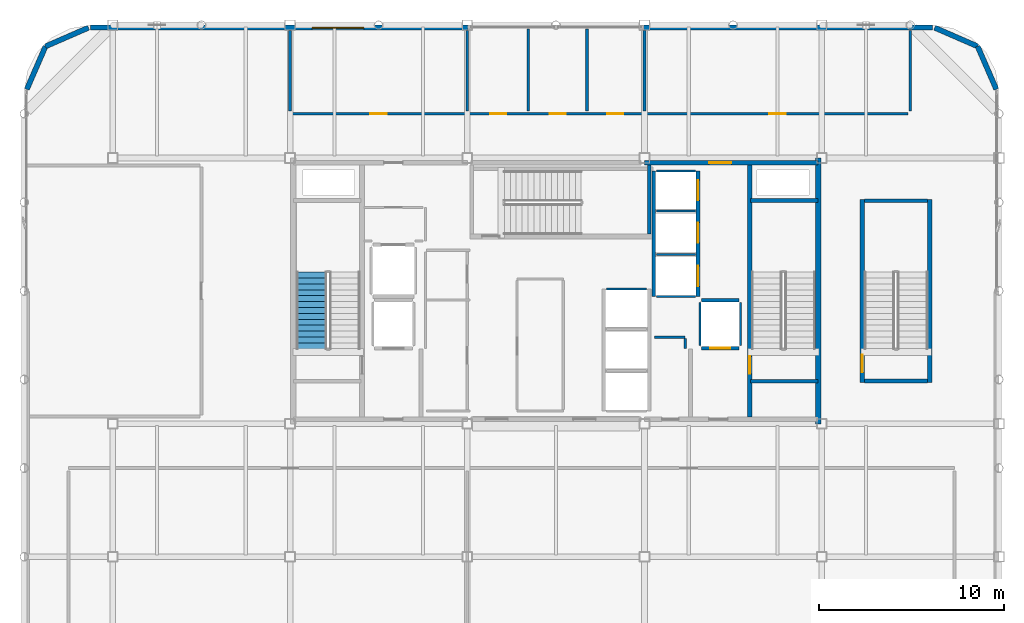
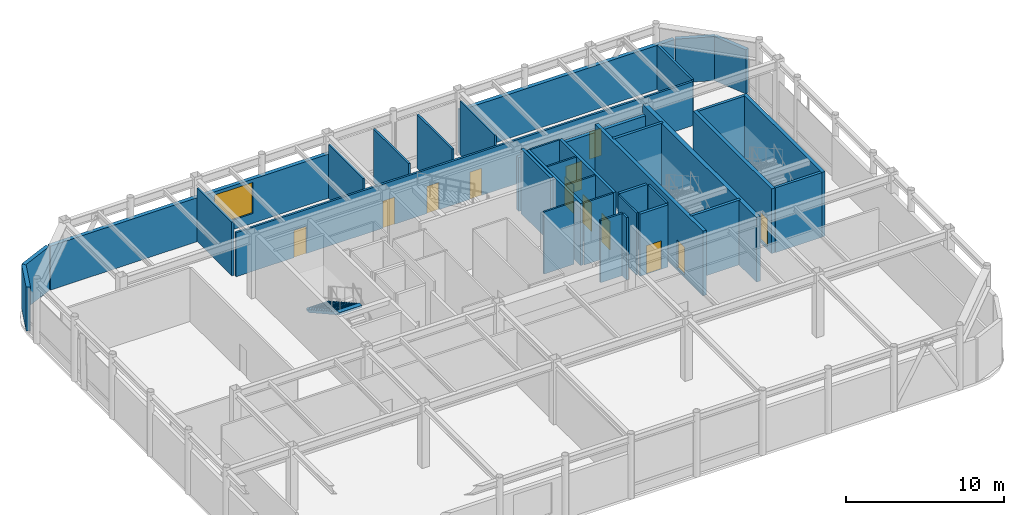
# One storey, part 18 of 21: 36 walls, 12 doors, 1 stair flight, 1 window, 13 openings, 1 element without a shape of its own.
"""IFC4 building model written with IfcOpenShell, lengths in metres."""

import ifcopenshell
import ifcopenshell.guid

model = None  # the IFC model being written
_history = None  # IfcOwnerHistory: only IFC2X3 demands one
_inside = {}  # id of a spatial element -> (the spatial element, [elements in it])
_under = {}  # id of a project, library or spatial element -> (it, [spatial elements below it])
_declared = {}  # id of a project -> (the project, [libraries it declares])
_typed = {}  # id of a type object -> (the type object, [elements of that type])
_made_of = {}  # id of a material, layer set ... -> (it, [elements and type objects made of it])


def new_model(schema):
    """Start an empty IFC model of exactly this schema.

    Asked for "IFC4X3", IfcOpenShell would pick the latest addendum, in which some entities
    have other attributes; the version numbers below select the first issue.
    IFC2X3 requires an IfcOwnerHistory on every rooted entity: one is made here for all.
    """
    global model, _history
    if schema == "IFC4X3":
        model = ifcopenshell.file(schema_version=(4, 3, 0, 0))
    else:
        model = ifcopenshell.file(schema=schema)
    _inside.clear()
    _under.clear()
    _declared.clear()
    _typed.clear()
    _made_of.clear()
    _history = None
    if model.schema == "IFC2X3":
        org = make("IfcOrganization", Name="unknown")
        user = make(
            "IfcPersonAndOrganization",
            ThePerson=make("IfcPerson", FamilyName="unknown"),
            TheOrganization=org,
        )
        app = make(
            "IfcApplication",
            ApplicationDeveloper=org,
            Version="unknown",
            ApplicationFullName="unknown",
            ApplicationIdentifier="unknown",
        )
        _history = make(
            "IfcOwnerHistory",
            OwningUser=user,
            OwningApplication=app,
            ChangeAction="ADDED",
            CreationDate=0,
        )
    return model


def make(cls, **values):
    """One entity of the class cls with the attributes given. An attribute that is None is left unset."""
    return model.create_entity(
        cls, **{name: value for name, value in values.items() if value is not None}
    )


def rooted(cls, **values):
    """An entity with a GlobalId (a new one), such as an element, a storey or a relation."""
    return make(cls, GlobalId=ifcopenshell.guid.new(), OwnerHistory=_history, **values)


def si_unit(unit_type, name, prefix=None):
    """IfcSIUnit, for example si_unit("LENGTHUNIT", "METRE", prefix="MILLI")."""
    return make("IfcSIUnit", UnitType=unit_type, Prefix=prefix, Name=name)


def assignment(units):
    """IfcUnitAssignment: the units of a project."""
    return None if units is None else make("IfcUnitAssignment", Units=units)


def point(xyz):
    """IfcCartesianPoint."""
    return None if xyz is None else make("IfcCartesianPoint", Coordinates=xyz)


def direction(xyz):
    """IfcDirection."""
    return None if xyz is None else make("IfcDirection", DirectionRatios=xyz)


def frame(location, z_axis=None, x_axis=None):
    """IfcAxis2Placement3D, a coordinate frame: its origin and axes. An axis left out is left unset."""
    return make(
        "IfcAxis2Placement3D",
        Location=point(location),
        Axis=direction(z_axis),
        RefDirection=direction(x_axis),
    )


def frame_2d(location, x_axis=None):
    """IfcAxis2Placement2D, a coordinate frame in the plane: its origin and x axis."""
    return make(
        "IfcAxis2Placement2D", Location=point(location), RefDirection=direction(x_axis)
    )


def origin():
    """The frame at (0, 0, 0) with its axes left unset."""
    return frame((0.0, 0.0, 0.0))


def place(relative_to, where):
    """IfcLocalPlacement: puts the frame where relative to a parent placement (None: the world)."""
    return make(
        "IfcLocalPlacement", PlacementRelTo=relative_to, RelativePlacement=where
    )


def context(
    kind, dimensions, precision=None, world=None, true_north=None, identifier=None
):
    """IfcGeometricRepresentationContext, for example the 3D "Model" context."""
    return make(
        "IfcGeometricRepresentationContext",
        ContextIdentifier=identifier,
        ContextType=kind,
        CoordinateSpaceDimension=dimensions,
        Precision=precision,
        WorldCoordinateSystem=world,
        TrueNorth=true_north,
    )


def subcontext(parent, identifier, kind, view, scale=None):
    """IfcGeometricRepresentationSubContext, for example "Body" below "Model"."""
    return make(
        "IfcGeometricRepresentationSubContext",
        ContextIdentifier=identifier,
        ContextType=kind,
        ParentContext=parent,
        TargetScale=scale,
        TargetView=view,
    )


def project(units=None, contexts=None):
    """IfcProject with its units and contexts."""
    return rooted(
        "IfcProject",
        Name="project",
        RepresentationContexts=contexts,
        UnitsInContext=assignment(units),
    )


def spatial(cls, under=None, at=None, **own):
    """A site, building, storey or space (cls), placed at a placement, below another one or the project."""
    s = rooted(cls, ObjectPlacement=at, **own)
    if under is not None:
        _under.setdefault(under.id(), (under, []))[1].append(s)
    return s


def polyline(points):
    """IfcPolyline through the points."""
    return make("IfcPolyline", Points=[point(p) for p in points])


def profile(cls, at=None, kind="AREA", **sizes):
    """A parametric profile (cls). Its sizes go by their IFC names, for example OverallWidth=200.0."""
    return make(cls, ProfileType=kind, Position=at, **sizes)


def rectangle(**sizes):
    """IfcRectangleProfileDef."""
    return profile("IfcRectangleProfileDef", **sizes)


def outline(outer, holes=None, kind="AREA"):
    """IfcArbitraryClosedProfileDef: a profile drawn as a closed curve; with holes, ...WithVoids."""
    if holes is None:
        return make("IfcArbitraryClosedProfileDef", ProfileType=kind, OuterCurve=outer)
    return make(
        "IfcArbitraryProfileDefWithVoids",
        ProfileType=kind,
        OuterCurve=outer,
        InnerCurves=holes,
    )


def extrude(swept, where, along, depth):
    """IfcExtrudedAreaSolid: the profile swept, set in the frame where, extruded along a direction by depth."""
    return make(
        "IfcExtrudedAreaSolid",
        SweptArea=swept,
        Position=where,
        ExtrudedDirection=direction(along),
        Depth=depth,
    )


def shape(context_of_items, identifier, shape_type, items):
    """IfcShapeRepresentation: the items that make up one representation, for example the "Body"."""
    return make(
        "IfcShapeRepresentation",
        ContextOfItems=context_of_items,
        RepresentationIdentifier=identifier,
        RepresentationType=shape_type,
        Items=items,
    )


def material(Name=None, Category=None):
    """IfcMaterial."""
    return make("IfcMaterial", Name=Name, Category=Category)


def layer(
    of_material, thickness, ventilated=None, Name=None, Category=None, Priority=None
):
    """IfcMaterialLayer: one layer of a wall or slab, of a material (None: an air gap)."""
    return make(
        "IfcMaterialLayer",
        Material=of_material,
        LayerThickness=thickness,
        IsVentilated=ventilated,
        Name=Name,
        Category=Category,
        Priority=Priority,
    )


def layer_set(layers, Name=None):
    """IfcMaterialLayerSet."""
    return make("IfcMaterialLayerSet", MaterialLayers=layers, LayerSetName=Name)


def made_of(thing, what):
    """Note that an element or type object is made of a material, layer set ...; save() writes the relation."""
    if what is not None:
        _made_of.setdefault(what.id(), (what, []))[1].append(thing)
    return thing


def type_object(cls, material=None, **own):
    """A type object (cls), such as IfcWallType, which elements share."""
    return made_of(rooted(cls, **own), material)


def element(
    cls,
    number,
    at=None,
    inside=None,
    cuts=None,
    type_object=None,
    material=None,
    context=None,
    identifier="Body",
    shape_type=None,
    held_by="IfcProductDefinitionShape",
    body=None,
    shapes=None,
    **own,
):
    """One element of the class cls, such as IfcWall. Its Tag is "e" and its number.

    at: its placement. inside: the storey or other place that contains it. cuts: it is an
    opening in that element (IfcRelVoidsElement). A single representation is given by context,
    identifier, shape_type and body (its items); several are given by shapes. held_by: the class
    of the entity that holds the representations. save() writes the other relations.
    """
    e = rooted(cls, Tag="e%d" % number, ObjectPlacement=at, **own)
    if body is not None:
        shapes = [shape(context, identifier, shape_type, body)]
    if shapes is not None:
        e.Representation = make(held_by, Representations=shapes)
    if inside is not None:
        _inside.setdefault(inside.id(), (inside, []))[1].append(e)
    if cuts is not None:
        rooted(
            "IfcRelVoidsElement", RelatingBuildingElement=cuts, RelatedOpeningElement=e
        )
    if type_object is not None:
        _typed.setdefault(type_object.id(), (type_object, []))[1].append(e)
    return made_of(e, material)


def fill(opening, filler):
    """IfcRelFillsElement: the door or window that sits in an opening."""
    return rooted(
        "IfcRelFillsElement",
        RelatingOpeningElement=opening,
        RelatedBuildingElement=filler,
    )


def aggregate(whole, parts):
    """IfcRelAggregates: a whole, such as a stair, and the parts it consists of."""
    return rooted("IfcRelAggregates", RelatingObject=whole, RelatedObjects=parts)


def save(model, path):
    """Write the relations noted so far, then the file.

    IfcRelAggregates (storeys below a building ...), IfcRelContainedInSpatialStructure (elements
    in a storey), IfcRelDefinesByType, IfcRelAssociatesMaterial and IfcRelDeclares: one each for
    every whole, place, type object, material and project.
    """
    for whole, parts in _under.values():
        aggregate(whole, parts)
    for where, things in _inside.values():
        rooted(
            "IfcRelContainedInSpatialStructure",
            RelatedElements=things,
            RelatingStructure=where,
        )
    for kind, things in _typed.values():
        rooted("IfcRelDefinesByType", RelatedObjects=things, RelatingType=kind)
    for what, things in _made_of.values():
        rooted("IfcRelAssociatesMaterial", RelatedObjects=things, RelatingMaterial=what)
    for by, libraries in _declared.values():
        rooted("IfcRelDeclares", RelatingContext=by, RelatedDefinitions=libraries)
    model.write(path)


model = new_model("IFC4")

# Units and contexts
model_context = context("Model", 3, precision=1e-05, world=origin(), true_north=direction((0.0, 1.0)))
body_context = subcontext(model_context, "Body", "Model", "MODEL_VIEW")
ifc_project = project(units=[si_unit("LENGTHUNIT", "METRE"), si_unit("AREAUNIT", "SQUARE_METRE"), si_unit("VOLUMEUNIT", "CUBIC_METRE"), si_unit("PLANEANGLEUNIT", "RADIAN"), si_unit("MASSUNIT", "GRAM", prefix="KILO")], contexts=[model_context])

# Site, building, storey
site_placement = place(None, origin())
site = spatial("IfcSite", under=ifc_project, at=site_placement, CompositionType="ELEMENT")
building_placement = place(site_placement, origin())
building = spatial("IfcBuilding", under=site, at=building_placement, Name="Kallvorn Hotel Tower", CompositionType="ELEMENT")
storey_placement = place(building_placement, frame((0.0, 0.0, 290.60009765625)))
storey = spatial("IfcBuildingStorey", under=building, at=storey_placement, Name="L72", CompositionType="ELEMENT", Elevation=290.60009765625)

# Walls
ifc_material_1 = material(Name="Concrete C50/60", Category="concrete")
ifc_layer_1 = layer(ifc_material_1, 0.300048828125)
ifc_layer_set_1 = layer_set([ifc_layer_1], Name="WL_CORE_300")
wall_type_1 = type_object("IfcWallType", Name="WL_CORE_300", PredefinedType="SHEAR", material=ifc_layer_set_1)
wall_1_placement = place(storey_placement, frame((14.215087890625, -7.199951171875, -0.2001953125), z_axis=(0.0, 0.0, 1.0), x_axis=(0.0, 1.0, 0.0)))
element("IfcWall", 1, at=wall_1_placement, inside=storey, type_object=wall_type_1, Name="L72 Core East Shear Wall", PredefinedType="SHEAR", context=body_context, shape_type="SweptSolid", body=[
    extrude(rectangle(XDim=14.39990234375, YDim=0.300048828125, at=frame_2d((7.199951171875, 0.0))), origin(), (0.0, 0.0, 1.0), 5.0),
])
ifc_material_2 = material(Name="Precast basalt-clad insulated concrete wall C40/50", Category="masonry")
ifc_layer_2 = layer(ifc_material_2, 0.280029296875)
ifc_layer_set_2 = layer_set([ifc_layer_2], Name="WL_EXT_LOGGIA_280")
wall_type_2 = type_object("IfcWallType", Name="WL_EXT_LOGGIA_280", PredefinedType="SOLIDWALL", material=ifc_layer_set_2)
for number, where, z_axis, x_axis, name in (
    (2, (23.85791015625, 10.9208984375, 0.0), (0.0, 0.0, 1.0), (-0.398747232384, 0.917060872934, 0.0), "L72 Rounded Corner Exterior Wall NE1"),
    (3, (22.8466796875, 13.24658203125, 0.0), (0.0, 0.0, 1.0), (-0.917076177656, 0.398712031894, 0.0), "L72 Rounded Corner Exterior Wall NE2"),
    (4, (-25.32080078125, 14.2578125, 0.0), (0.0, 0.0, 1.0), (-0.917060872934, -0.398747232384, 0.0), "L72 Rounded Corner Exterior Wall NW1"),
    (5, (-27.646484375, 13.24658203125, 0.0), (0.0, 0.0, 1.0), (-0.398828190223, -0.917025667407, 0.0), "L72 Rounded Corner Exterior Wall NW2"),
):
    element("IfcWall", number, at=place(storey_placement, frame(where, z_axis=z_axis, x_axis=x_axis)), inside=storey, type_object=wall_type_2, Name=name, PredefinedType="SOLIDWALL", context=body_context, shape_type="SweptSolid", body=[
        extrude(rectangle(XDim=2.5361328125, YDim=0.280029296875, at=frame_2d((1.26806640625, 0.0))), origin(), (0.0, 0.0, 1.0), 3.39990234375),
    ])

# Wall, opening, window
wall_2_placement = place(storey_placement, frame((-25.199951171875, 14.260009765625, 0.0), z_axis=(0.0, 0.0, 1.0), x_axis=(1.0, 0.0, 0.0)))
wall_2 = element("IfcWall", 6, at=wall_2_placement, inside=storey, type_object=wall_type_2, Name="L72 Exterior Envelope Wall EW-L72-NW", PredefinedType="SOLIDWALL", context=body_context, shape_type="SweptSolid", body=[
    extrude(rectangle(XDim=20.449951171875, YDim=0.280029296875, at=frame_2d((10.22509765625, 0.0))), origin(), (0.0, 0.0, 1.0), 3.39990234375),
])
opening_1_placement = place(wall_2_placement, frame((12.0, 0.0, 0.75)))
opening_1 = element("IfcOpeningElement", 7, at=opening_1_placement, cuts=wall_2, Name="Opening W08", PredefinedType="OPENING", context=body_context, shape_type="SweptSolid", body=[
    extrude(rectangle(XDim=2.800048828125, YDim=2.39990234375, at=frame_2d((1.39990234375, 1.199951171875))), frame((0.0, 0.155029296875, 0.0), z_axis=(0.0, -1.0, 0.0), x_axis=(1.0, 0.0, 0.0)), (0.0, 0.0, 1.0), 0.31005859375),
])
ifc_material_3 = material(Name="Triple-glazed low-e acoustic solar-control dark glass", Category="glass")
window_type = type_object("IfcWindowType", Name="WN_SUM_2800x2400", PartitioningType="SINGLE_PANEL", PredefinedType="WINDOW", material=ifc_material_3)
window_placement = place(opening_1_placement, origin())
window = element("IfcWindow", 8, at=window_placement, inside=storey, type_object=window_type, Name="L72 Guestroom Exterior Window 02", OverallHeight=2.39990234375, OverallWidth=2.800048828125, PartitioningType="SINGLE_PANEL", PredefinedType="WINDOW", context=body_context, shape_type="SweptSolid", body=[
    extrude(rectangle(XDim=2.800048828125, YDim=2.39990234375, at=frame_2d((1.39990234375, 1.199951171875))), frame((0.0, 0.030029296875, 0.0), z_axis=(0.0, -1.0, 0.0), x_axis=(1.0, 0.0, 0.0)), (0.0, 0.0, 1.0), 0.06005859375),
])
fill(opening_1, window)

# Walls
wall_3_placement = place(storey_placement, frame((4.75, 14.260009765625, 0.0), z_axis=(0.0, 0.0, 1.0), x_axis=(1.0, 0.0, 0.0)))
element("IfcWall", 9, at=wall_3_placement, inside=storey, type_object=wall_type_2, Name="L72 Exterior Envelope Wall EW-L72-NE", PredefinedType="SOLIDWALL", context=body_context, shape_type="SweptSolid", body=[
    extrude(rectangle(XDim=15.64990234375, YDim=0.280029296875, at=frame_2d((7.824951171875, 0.0))), origin(), (0.0, 0.0, 1.0), 3.39990234375),
])
ifc_material_4 = material(Name="Concrete C40/50", Category="concrete")
ifc_layer_3 = layer(ifc_material_4, 0.199951171875)
ifc_layer_set_3 = layer_set([ifc_layer_3], Name="WL_HOIST_200")
wall_type_3 = type_object("IfcWallType", Name="WL_HOIST_200", PredefinedType="SOLIDWALL", material=ifc_layer_set_3)
for number, where, z_axis, x_axis, name in (
    (10, (10.550048828125, -4.89990234375, -0.2001953125), (0.0, 0.0, 1.0), (1.0, 0.0, 0.0), "L72 Stair ST2 South Wall"),
    (11, (10.550048828125, 4.89990234375, -0.2001953125), (0.0, 0.0, 1.0), (1.0, 0.0, 0.0), "L72 Stair ST2 North Wall"),
):
    element("IfcWall", number, at=place(storey_placement, frame(where, z_axis=z_axis, x_axis=x_axis)), inside=storey, type_object=wall_type_3, Name=name, PredefinedType="SOLIDWALL", context=body_context, shape_type="SweptSolid", body=[
        extrude(rectangle(XDim=3.64990234375, YDim=0.199951171875, at=frame_2d((1.824951171875, 0.0))), origin(), (0.0, 0.0, 1.0), 5.0),
    ])
wall_4_placement = place(storey_placement, frame((5.06005859375, 3.080078125, -0.2001953125), z_axis=(0.0, 0.0, 1.0), x_axis=(0.0, 1.0, 0.0)))
element("IfcWall", 12, at=wall_4_placement, inside=storey, type_object=wall_type_3, Name="L72 Stair ST3 East Wall", PredefinedType="SOLIDWALL", context=body_context, shape_type="SweptSolid", body=[
    extrude(rectangle(XDim=3.739990234375, YDim=0.199951171875, at=frame_2d((1.8701171875, 0.0))), origin(), (0.0, 0.0, 1.0), 5.0),
])
for number, where, z_axis, x_axis, name in (
    (13, (16.72998046875, -4.8798828125, -0.2001953125), (0.0, 0.0, 1.0), (1.0, 0.0, 0.0), "L72 Summit Exit Stair ST4 South Wall"),
    (14, (16.72998046875, 4.8798828125, -0.2001953125), (0.0, 0.0, 1.0), (1.0, 0.0, 0.0), "L72 Summit Exit Stair ST4 North Wall"),
):
    element("IfcWall", number, at=place(storey_placement, frame(where, z_axis=z_axis, x_axis=x_axis)), inside=storey, type_object=wall_type_3, Name=name, PredefinedType="SOLIDWALL", context=body_context, shape_type="SweptSolid", body=[
        extrude(rectangle(XDim=3.39990234375, YDim=0.199951171875, at=frame_2d((1.699951171875, 0.0))), origin(), (0.0, 0.0, 1.0), 5.0),
    ])

# Wall, openings, doors
wall_5_placement = place(storey_placement, frame((7.699951171875, -0.300048828125, 0.0), z_axis=(0.0, 0.0, 1.0), x_axis=(0.0, 1.0, 0.0)))
wall_5 = element("IfcWall", 15, at=wall_5_placement, inside=storey, type_object=wall_type_3, Name="L72 Lift Bank OBS Landing Wall", PredefinedType="SOLIDWALL", context=body_context, shape_type="SweptSolid", body=[
    extrude(rectangle(XDim=6.800048828125, YDim=0.199951171875, at=frame_2d((3.39990234375, 0.0))), origin(), (0.0, 0.0, 1.0), 4.7998046875),
])
opening_2_placement = place(wall_5_placement, frame((0.550048828125, 0.0, 0.0)))
opening_2 = element("IfcOpeningElement", 16, at=opening_2_placement, cuts=wall_5, Name="Opening LD-OB-01", PredefinedType="OPENING", context=body_context, shape_type="SweptSolid", body=[
    extrude(rectangle(XDim=1.10009765625, YDim=2.199951171875, at=frame_2d((0.550048828125, 1.10009765625))), frame((0.0, 0.114990234375, 0.0), z_axis=(0.0, -1.0, 0.0), x_axis=(1.0, 0.0, 0.0)), (0.0, 0.0, 1.0), 0.22998046875),
])
opening_3_placement = place(wall_5_placement, frame((2.89990234375, 0.0, 0.0)))
opening_3 = element("IfcOpeningElement", 17, at=opening_3_placement, cuts=wall_5, Name="Opening LD-OB-02", PredefinedType="OPENING", context=body_context, shape_type="SweptSolid", body=[
    extrude(rectangle(XDim=1.10009765625, YDim=2.199951171875, at=frame_2d((0.550048828125, 1.10009765625))), frame((0.0, 0.114990234375, 0.0), z_axis=(0.0, -1.0, 0.0), x_axis=(1.0, 0.0, 0.0)), (0.0, 0.0, 1.0), 0.22998046875),
])
opening_4_placement = place(wall_5_placement, frame((5.199951171875, 0.0, 0.0)))
opening_4 = element("IfcOpeningElement", 18, at=opening_4_placement, cuts=wall_5, Name="Opening LD-OB-03", PredefinedType="OPENING", context=body_context, shape_type="SweptSolid", body=[
    extrude(rectangle(XDim=1.10009765625, YDim=2.199951171875, at=frame_2d((0.550048828125, 1.10009765625))), frame((0.0, 0.114990234375, 0.0), z_axis=(0.0, -1.0, 0.0), x_axis=(1.0, 0.0, 0.0)), (0.0, 0.0, 1.0), 0.22998046875),
])
ifc_material_5 = material(Name="Brushed stainless-steel automatic sliding lift landing door", Category="steel")
door_type_1 = type_object("IfcDoorType", Name="LD_PASS_1100x2200", OperationType="SLIDING_TO_LEFT", PredefinedType="DOOR", material=ifc_material_5)
door_1_placement = place(opening_2_placement, origin())
door_1 = element("IfcDoor", 19, at=door_1_placement, inside=storey, type_object=door_type_1, Name="L72 Lift Landing Sliding Door LD-OB-01", OperationType="SLIDING_TO_LEFT", OverallHeight=2.199951171875, OverallWidth=1.10009765625, PredefinedType="DOOR", context=body_context, shape_type="SweptSolid", body=[
    extrude(rectangle(XDim=1.10009765625, YDim=2.199951171875, at=frame_2d((0.550048828125, 1.10009765625))), frame((0.0, 0.02490234375, 0.0), z_axis=(0.0, -1.0, 0.0), x_axis=(1.0, 0.0, 0.0)), (0.0, 0.0, 1.0), 0.050048828125),
])
fill(opening_2, door_1)
door_2_placement = place(opening_3_placement, origin())
door_2 = element("IfcDoor", 20, at=door_2_placement, inside=storey, type_object=door_type_1, Name="L72 Lift Landing Sliding Door LD-OB-02", OperationType="SLIDING_TO_LEFT", OverallHeight=2.199951171875, OverallWidth=1.10009765625, PredefinedType="DOOR", context=body_context, shape_type="SweptSolid", body=[
    extrude(rectangle(XDim=1.10009765625, YDim=2.199951171875, at=frame_2d((0.550048828125, 1.10009765625))), frame((0.0, 0.02490234375, 0.0), z_axis=(0.0, -1.0, 0.0), x_axis=(1.0, 0.0, 0.0)), (0.0, 0.0, 1.0), 0.050048828125),
])
fill(opening_3, door_2)
door_3_placement = place(opening_4_placement, origin())
door_3 = element("IfcDoor", 21, at=door_3_placement, inside=storey, type_object=door_type_1, Name="L72 Lift Landing Sliding Door LD-OB-03", OperationType="SLIDING_TO_LEFT", OverallHeight=2.199951171875, OverallWidth=1.10009765625, PredefinedType="DOOR", context=body_context, shape_type="SweptSolid", body=[
    extrude(rectangle(XDim=1.10009765625, YDim=2.199951171875, at=frame_2d((0.550048828125, 1.10009765625))), frame((0.0, 0.02490234375, 0.0), z_axis=(0.0, -1.0, 0.0), x_axis=(1.0, 0.0, 0.0)), (0.0, 0.0, 1.0), 0.050048828125),
])
fill(opening_4, door_3)

# Wall
wall_6_placement = place(storey_placement, frame((5.300048828125, -0.300048828125, 0.0), z_axis=(0.0, 0.0, 1.0), x_axis=(0.0, 1.0, 0.0)))
element("IfcWall", 22, at=wall_6_placement, inside=storey, type_object=wall_type_3, Name="L72 Lift Bank OBS Rear Shaft Wall", PredefinedType="SOLIDWALL", context=body_context, shape_type="SweptSolid", body=[
    extrude(rectangle(XDim=6.800048828125, YDim=0.199951171875, at=frame_2d((3.39990234375, 0.0))), origin(), (0.0, 0.0, 1.0), 4.7998046875),
])

# Wall, opening, door
wall_7_placement = place(storey_placement, frame((7.8798828125, -3.10009765625, 0.0), z_axis=(0.0, 0.0, 1.0), x_axis=(1.0, 0.0, 0.0)))
wall_7 = element("IfcWall", 23, at=wall_7_placement, inside=storey, type_object=wall_type_3, Name="L72 FL-2 Landing Wall", PredefinedType="SOLIDWALL", context=body_context, shape_type="SweptSolid", body=[
    extrude(rectangle(XDim=2.0400390625, YDim=0.199951171875, at=frame_2d((1.02001953125, 0.0))), origin(), (0.0, 0.0, 1.0), 4.7998046875),
])
opening_5_placement = place(wall_7_placement, frame((0.469970703125, 0.0, 0.0)))
opening_5 = element("IfcOpeningElement", 24, at=opening_5_placement, cuts=wall_7, Name="Opening LD-FL-2", PredefinedType="OPENING", context=body_context, shape_type="SweptSolid", body=[
    extrude(rectangle(XDim=1.10009765625, YDim=2.199951171875, at=frame_2d((0.550048828125, 1.10009765625))), frame((0.0, 0.114990234375, 0.0), z_axis=(0.0, -1.0, 0.0), x_axis=(1.0, 0.0, 0.0)), (0.0, 0.0, 1.0), 0.22998046875),
])
door_4_placement = place(opening_5_placement, origin())
door_4 = element("IfcDoor", 25, at=door_4_placement, inside=storey, type_object=door_type_1, Name="L72 Lift Landing Sliding Door LD-FL-2", OperationType="SLIDING_TO_LEFT", OverallHeight=2.199951171875, OverallWidth=1.10009765625, PredefinedType="DOOR", context=body_context, shape_type="SweptSolid", body=[
    extrude(rectangle(XDim=1.10009765625, YDim=2.199951171875, at=frame_2d((0.550048828125, 1.10009765625))), frame((0.0, 0.02490234375, 0.0), z_axis=(0.0, -1.0, 0.0), x_axis=(1.0, 0.0, 0.0)), (0.0, 0.0, 1.0), 0.050048828125),
])
fill(opening_5, door_4)

# Walls
wall_8_placement = place(storey_placement, frame((7.8798828125, -0.5, 0.0), z_axis=(0.0, 0.0, 1.0), x_axis=(1.0, 0.0, 0.0)))
element("IfcWall", 26, at=wall_8_placement, inside=storey, type_object=wall_type_3, Name="L72 FL-2 Rear Shaft Wall", PredefinedType="SOLIDWALL", context=body_context, shape_type="SweptSolid", body=[
    extrude(rectangle(XDim=2.0400390625, YDim=0.199951171875, at=frame_2d((1.02001953125, 0.0))), origin(), (0.0, 0.0, 1.0), 4.7998046875),
])
ifc_material_6 = material(Name="Fire-rated double-layer acoustic gypsum drywall EI 60")
ifc_layer_4 = layer(ifc_material_6, 0.1201171875)
ifc_layer_set_4 = layer_set([ifc_layer_4], Name="WL_INT_120")
wall_type_4 = type_object("IfcWallType", Name="WL_INT_120", PredefinedType="PARTITIONING", material=ifc_layer_set_4)
wall_9_placement = place(storey_placement, frame((2.739990234375, 0.10009765625, 0.0), z_axis=(0.0, 0.0, 1.0), x_axis=(1.0, 0.0, 0.0)))
element("IfcWall", 27, at=wall_9_placement, inside=storey, type_object=wall_type_4, Name="L72 PL-11 Hoistway Divider", PredefinedType="PARTITIONING", context=body_context, shape_type="SweptSolid", body=[
    extrude(rectangle(XDim=2.169921875, YDim=0.1201171875, at=frame_2d((1.0849609375, 0.0))), origin(), (0.0, 0.0, 1.0), 4.7998046875),
])
for number, where, z_axis, x_axis, name in (
    (28, (5.43994140625, -0.300048828125, 0.0), (0.0, 0.0, 1.0), (1.0, 0.0, 0.0), "L72 Lift Bank OBS South Closure Wall"),
    (29, (5.43994140625, 1.97509765625, 0.0), (0.0, 0.0, 1.0), (1.0, 0.0, 0.0), "L72 OB-01 Hoistway Divider"),
    (30, (5.43994140625, 4.324951171875, 0.0), (0.0, 0.0, 1.0), (1.0, 0.0, 0.0), "L72 OB-02 Hoistway Divider"),
    (31, (5.43994140625, 6.5, 0.0), (0.0, 0.0, 1.0), (1.0, 0.0, 0.0), "L72 OB-03 Hoistway Divider"),
):
    element("IfcWall", number, at=place(storey_placement, frame(where, z_axis=z_axis, x_axis=x_axis)), inside=storey, type_object=wall_type_4, Name=name, PredefinedType="PARTITIONING", context=body_context, shape_type="SweptSolid", body=[
        extrude(rectangle(XDim=2.1201171875, YDim=0.1201171875, at=frame_2d((1.06005859375, 0.0))), origin(), (0.0, 0.0, 1.0), 4.7998046875),
    ])
for number, where, z_axis, x_axis, name in (
    (32, (7.800048828125, -2.9599609375, 0.0), (0.0, 0.0, 1.0), (0.0, 1.0, 0.0), "L72 FL-2 West Shaft Wall"),
    (33, (10.0, -2.9599609375, 0.0), (0.0, 0.0, 1.0), (0.0, 1.0, 0.0), "L72 FL-2 East Shaft Wall"),
):
    element("IfcWall", number, at=place(storey_placement, frame(where, z_axis=z_axis, x_axis=x_axis)), inside=storey, type_object=wall_type_4, Name=name, PredefinedType="PARTITIONING", context=body_context, shape_type="SweptSolid", body=[
        extrude(rectangle(XDim=2.320068359375, YDim=0.1201171875, at=frame_2d((1.16015625, 0.0))), origin(), (0.0, 0.0, 1.0), 4.7998046875),
    ])

# Wall, openings, doors
ifc_material_7 = material(Name="Fire-rated double-layer acoustic gypsum drywall EI 60")
ifc_layer_5 = layer(ifc_material_7, 0.14990234375)
ifc_layer_set_5 = layer_set([ifc_layer_5], Name="WL_PART_150")
wall_type_5 = type_object("IfcWallType", Name="WL_PART_150", PredefinedType="PARTITIONING", material=ifc_layer_set_5)
wall_10_placement = place(storey_placement, frame((-14.280029296875, 9.60009765625, 0.0), z_axis=(0.0, 0.0, 1.0), x_axis=(1.0, 0.0, 0.0)))
wall_10 = element("IfcWall", 34, at=wall_10_placement, inside=storey, type_object=wall_type_5, Name="L72 Restaurant Show Kitchen Partition", PredefinedType="PARTITIONING", context=body_context, shape_type="SweptSolid", body=[
    extrude(rectangle(XDim=33.360107421875, YDim=0.14990234375, at=frame_2d((16.68017578125, 0.0))), origin(), (0.0, 0.0, 1.0), 3.39990234375),
])
opening_6_placement = place(wall_10_placement, frame((4.22998046875, 0.0, 0.0)))
opening_6 = element("IfcOpeningElement", 35, at=opening_6_placement, cuts=wall_10, Name="Opening SVD1", PredefinedType="OPENING", context=body_context, shape_type="SweptSolid", body=[
    extrude(rectangle(XDim=0.89990234375, YDim=2.10009765625, at=frame_2d((0.449951171875, 1.050048828125))), frame((0.0, 0.08984375, 0.0), z_axis=(0.0, -1.0, 0.0), x_axis=(1.0, 0.0, 0.0)), (0.0, 0.0, 1.0), 0.179931640625),
])
opening_7_placement = place(wall_10_placement, frame((10.720947265625, 0.0, 0.0)))
opening_7 = element("IfcOpeningElement", 36, at=opening_7_placement, cuts=wall_10, Name="Opening BD-I", PredefinedType="OPENING", context=body_context, shape_type="SweptSolid", body=[
    extrude(rectangle(XDim=0.860107421875, YDim=2.10009765625, at=frame_2d((0.43017578125, 1.050048828125))), frame((0.0, 0.08984375, 0.0), z_axis=(0.0, -1.0, 0.0), x_axis=(1.0, 0.0, 0.0)), (0.0, 0.0, 1.0), 0.179931640625),
])
opening_8_placement = place(wall_10_placement, frame((13.944091796875, 0.0, 0.0)))
opening_8 = element("IfcOpeningElement", 37, at=opening_8_placement, cuts=wall_10, Name="Opening BD-I", PredefinedType="OPENING", context=body_context, shape_type="SweptSolid", body=[
    extrude(rectangle(XDim=0.860107421875, YDim=2.10009765625, at=frame_2d((0.43017578125, 1.050048828125))), frame((0.0, 0.08984375, 0.0), z_axis=(0.0, -1.0, 0.0), x_axis=(1.0, 0.0, 0.0)), (0.0, 0.0, 1.0), 0.179931640625),
])
opening_9_placement = place(wall_10_placement, frame((17.072998046875, 0.0, 0.0)))
opening_9 = element("IfcOpeningElement", 38, at=opening_9_placement, cuts=wall_10, Name="Opening BD-I", PredefinedType="OPENING", context=body_context, shape_type="SweptSolid", body=[
    extrude(rectangle(XDim=0.860107421875, YDim=2.10009765625, at=frame_2d((0.43017578125, 1.050048828125))), frame((0.0, 0.08984375, 0.0), z_axis=(0.0, -1.0, 0.0), x_axis=(1.0, 0.0, 0.0)), (0.0, 0.0, 1.0), 0.179931640625),
])
opening_10_placement = place(wall_10_placement, frame((25.830078125, 0.0, 0.0)))
opening_10 = element("IfcOpeningElement", 39, at=opening_10_placement, cuts=wall_10, Name="Opening SVD1", PredefinedType="OPENING", context=body_context, shape_type="SweptSolid", body=[
    extrude(rectangle(XDim=0.89990234375, YDim=2.10009765625, at=frame_2d((0.449951171875, 1.050048828125))), frame((0.0, 0.08984375, 0.0), z_axis=(0.0, -1.0, 0.0), x_axis=(1.0, 0.0, 0.0)), (0.0, 0.0, 1.0), 0.179931640625),
])
ifc_material_8 = material(Name="Solid-core walnut veneer fire-rated timber door leaf", Category="wood")
door_type_2 = type_object("IfcDoorType", Name="DR_BATH_860x2100", OperationType="NOTDEFINED", PredefinedType="DOOR", material=ifc_material_8)
door_5_placement = place(opening_7_placement, origin())
door_5 = element("IfcDoor", 40, at=door_5_placement, inside=storey, type_object=door_type_2, Name="L72 Public Male Restroom WC Door", OperationType="SINGLE_SWING_LEFT", OverallHeight=2.10009765625, OverallWidth=0.860107421875, PredefinedType="DOOR", context=body_context, shape_type="SweptSolid", body=[
    extrude(rectangle(XDim=0.860107421875, YDim=2.10009765625, at=frame_2d((0.43017578125, 1.050048828125))), frame((0.0, 0.02490234375, 0.0), z_axis=(0.0, -1.0, 0.0), x_axis=(1.0, 0.0, 0.0)), (0.0, 0.0, 1.0), 0.050048828125),
])
fill(opening_7, door_5)
door_6_placement = place(opening_8_placement, origin())
door_6 = element("IfcDoor", 41, at=door_6_placement, inside=storey, type_object=door_type_2, Name="L72 Public Female Restroom WC Door", OperationType="SINGLE_SWING_RIGHT", OverallHeight=2.10009765625, OverallWidth=0.860107421875, PredefinedType="DOOR", context=body_context, shape_type="SweptSolid", body=[
    extrude(rectangle(XDim=0.860107421875, YDim=2.10009765625, at=frame_2d((0.43017578125, 1.050048828125))), frame((0.0, 0.02490234375, 0.0), z_axis=(0.0, -1.0, 0.0), x_axis=(1.0, 0.0, 0.0)), (0.0, 0.0, 1.0), 0.050048828125),
])
fill(opening_8, door_6)
door_7_placement = place(opening_9_placement, origin())
door_7 = element("IfcDoor", 42, at=door_7_placement, inside=storey, type_object=door_type_2, Name="L72 Accessible Restroom WC Door", OperationType="SINGLE_SWING_LEFT", OverallHeight=2.10009765625, OverallWidth=0.860107421875, PredefinedType="DOOR", context=body_context, shape_type="SweptSolid", body=[
    extrude(rectangle(XDim=0.860107421875, YDim=2.10009765625, at=frame_2d((0.43017578125, 1.050048828125))), frame((0.0, 0.02490234375, 0.0), z_axis=(0.0, -1.0, 0.0), x_axis=(1.0, 0.0, 0.0)), (0.0, 0.0, 1.0), 0.050048828125),
])
fill(opening_9, door_7)
ifc_material_9 = material(Name="Galvanised painted steel fire-rated door assembly", Category="steel")
door_type_3 = type_object("IfcDoorType", Name="DR_SERV_900x2100", OperationType="NOTDEFINED", PredefinedType="DOOR", material=ifc_material_9)
door_8_placement = place(opening_6_placement, origin())
door_8 = element("IfcDoor", 43, at=door_8_placement, inside=storey, type_object=door_type_3, Name="L72 Restaurant Show Kitchen Door", OperationType="SINGLE_SWING_LEFT", OverallHeight=2.10009765625, OverallWidth=0.89990234375, PredefinedType="DOOR", context=body_context, shape_type="SweptSolid", body=[
    extrude(rectangle(XDim=0.89990234375, YDim=2.10009765625, at=frame_2d((0.449951171875, 1.050048828125))), frame((0.0, 0.02490234375, 0.0), z_axis=(0.0, -1.0, 0.0), x_axis=(1.0, 0.0, 0.0)), (0.0, 0.0, 1.0), 0.050048828125),
])
fill(opening_6, door_8)
door_9_placement = place(opening_10_placement, origin())
door_9 = element("IfcDoor", 44, at=door_9_placement, inside=storey, type_object=door_type_3, Name="L72 Sommelier Wine Cellar Store Door", OperationType="SINGLE_SWING_RIGHT", OverallHeight=2.10009765625, OverallWidth=0.89990234375, PredefinedType="DOOR", context=body_context, shape_type="SweptSolid", body=[
    extrude(rectangle(XDim=0.89990234375, YDim=2.10009765625, at=frame_2d((0.449951171875, 1.050048828125))), frame((0.0, 0.02490234375, 0.0), z_axis=(0.0, -1.0, 0.0), x_axis=(1.0, 0.0, 0.0)), (0.0, 0.0, 1.0), 0.050048828125),
])
fill(opening_10, door_9)

# Walls
for number, where, z_axis, x_axis, name in (
    (45, (-14.39990234375, 9.75, 0.0), (0.0, 0.0, 1.0), (0.0, 1.0, 0.0), "L72 Restaurant Show Kitchen Partition"),
    (46, (-4.800048828125, 9.75, 0.0), (0.0, 0.0, 1.0), (0.0, 1.0, 0.0), "L72 Restaurant Show Kitchen Partition"),
    (47, (4.800048828125, 9.75, 0.0), (0.0, 0.0, 1.0), (0.0, 1.0, 0.0), "L72 Sommelier Wine Cellar Store Partition"),
):
    element("IfcWall", number, at=place(storey_placement, frame(where, z_axis=z_axis, x_axis=x_axis)), inside=storey, type_object=wall_type_5, Name=name, PredefinedType="PARTITIONING", context=body_context, shape_type="SweptSolid", body=[
        extrude(rectangle(XDim=4.360107421875, YDim=0.14990234375, at=frame_2d((2.18017578125, 0.0))), origin(), (0.0, 0.0, 1.0), 4.14990234375),
    ])
wall_11_placement = place(storey_placement, frame((19.199951171875, 9.75, 0.0), z_axis=(0.0, 0.0, 1.0), x_axis=(0.0, 1.0, 0.0)))
element("IfcWall", 48, at=wall_11_placement, inside=storey, type_object=wall_type_5, Name="L72 Sommelier Wine Cellar Store Partition", PredefinedType="PARTITIONING", context=body_context, shape_type="SweptSolid", body=[
    extrude(rectangle(XDim=4.360107421875, YDim=0.14990234375, at=frame_2d((2.18017578125, 0.0))), origin(), (0.0, 0.0, 1.0), 3.39990234375),
])
ifc_material_10 = material(Name="Moisture-resistant acoustic plumbing chase wall EI 60")
ifc_layer_6 = layer(ifc_material_10, 0.139892578125)
ifc_layer_set_6 = layer_set([ifc_layer_6], Name="WL_PLUMB_140")
wall_type_6 = type_object("IfcWallType", Name="WL_PLUMB_140", PredefinedType="PLUMBINGWALL", material=ifc_layer_set_6)
wall_12_placement = place(storey_placement, frame((5.35009765625, -2.5, 0.0), z_axis=(0.0, 0.0, 1.0), x_axis=(1.0, 0.0, 0.0)))
element("IfcWall", 49, at=wall_12_placement, inside=storey, type_object=wall_type_6, Name="L72 Core Accessible Staff WC Partition", PredefinedType="PLUMBINGWALL", context=body_context, shape_type="SweptSolid", body=[
    extrude(rectangle(XDim=1.64990234375, YDim=0.139892578125, at=frame_2d((0.824951171875, 0.0))), origin(), (0.0, 0.0, 1.0), 4.7998046875),
])
for number, where, z_axis, x_axis, name in (
    (50, (-1.498046875, 9.75, 0.0), (0.0, 0.0, 1.0), (0.0, 1.0, 0.0), "L72 Public Female Restroom WC Partition"),
    (51, (1.68505859375, 9.75, 0.0), (0.0, 0.0, 1.0), (0.0, 1.0, 0.0), "L72 Accessible Restroom WC Partition"),
):
    element("IfcWall", number, at=place(storey_placement, frame(where, z_axis=z_axis, x_axis=x_axis)), inside=storey, type_object=wall_type_6, Name=name, PredefinedType="PLUMBINGWALL", context=body_context, shape_type="SweptSolid", body=[
        extrude(rectangle(XDim=4.445068359375, YDim=0.139892578125, at=frame_2d((2.22265625, 0.0))), origin(), (0.0, 0.0, 1.0), 4.14990234375),
    ])
wall_13_placement = place(storey_placement, frame((7.0, -3.110107421875, 0.0), z_axis=(0.0, 0.0, 1.0), x_axis=(0.0, 1.0, 0.0)))
element("IfcWall", 52, at=wall_13_placement, inside=storey, type_object=wall_type_6, Name="L72 Core Accessible Staff WC Partition", PredefinedType="PLUMBINGWALL", context=body_context, shape_type="SweptSolid", body=[
    extrude(rectangle(XDim=0.525146484375, YDim=0.139892578125, at=frame_2d((0.2626953125, 0.0))), origin(), (0.0, 0.0, 1.0), 4.7998046875),
])

# Wall, opening, door
ifc_material_11 = material(Name="Concrete C40/50", Category="concrete")
ifc_layer_7 = layer(ifc_material_11, 0.25)
ifc_layer_set_7 = layer_set([ifc_layer_7], Name="WL_SHAFT_250")
wall_type_7 = type_object("IfcWallType", Name="WL_SHAFT_250", PredefinedType="SOLIDWALL", material=ifc_layer_set_7)
wall_14_placement = place(storey_placement, frame((4.800048828125, 6.949951171875, 0.0), z_axis=(0.0, 0.0, 1.0), x_axis=(1.0, 0.0, 0.0)))
wall_14 = element("IfcWall", 53, at=wall_14_placement, inside=storey, type_object=wall_type_7, Name="L72 Core North-East Wall", PredefinedType="SOLIDWALL", context=body_context, shape_type="SweptSolid", body=[
    extrude(rectangle(XDim=9.39990234375, YDim=0.25, at=frame_2d((4.699951171875, 0.0))), origin(), (0.0, 0.0, 1.0), 4.14990234375),
])
opening_11_placement = place(wall_14_placement, frame((3.5, 0.0, 0.0)))
opening_11 = element("IfcOpeningElement", 54, at=opening_11_placement, cuts=wall_14, Name="Opening FD2", PredefinedType="OPENING", context=body_context, shape_type="SweptSolid", body=[
    extrude(rectangle(XDim=1.199951171875, YDim=2.199951171875, at=frame_2d((0.60009765625, 1.10009765625))), frame((0.0, 0.139892578125, 0.0), z_axis=(0.0, -1.0, 0.0), x_axis=(1.0, 0.0, 0.0)), (0.0, 0.0, 1.0), 0.280029296875),
])
ifc_material_12 = material(Name="Galvanised painted steel fire-rated door assembly", Category="steel")
door_type_4 = type_object("IfcDoorType", Name="DR_LOBBY_1200x2200", OperationType="DOUBLE_DOOR_SINGLE_SWING", PredefinedType="DOOR", material=ifc_material_12)
door_10_placement = place(opening_11_placement, origin())
door_10 = element("IfcDoor", 55, at=door_10_placement, inside=storey, type_object=door_type_4, Name="L72 Observatory Shuttle Lobby Door", OperationType="DOUBLE_DOOR_SINGLE_SWING", OverallHeight=2.199951171875, OverallWidth=1.199951171875, PredefinedType="DOOR", context=body_context, shape_type="SweptSolid", body=[
    extrude(rectangle(XDim=1.199951171875, YDim=2.199951171875, at=frame_2d((0.60009765625, 1.10009765625))), frame((0.0, 0.02490234375, 0.0), z_axis=(0.0, -1.0, 0.0), x_axis=(1.0, 0.0, 0.0)), (0.0, 0.0, 1.0), 0.050048828125),
])
fill(opening_11, door_10)

wall_15_placement = place(storey_placement, frame((10.5, -6.820068359375, -0.2001953125), z_axis=(0.0, 0.0, 1.0), x_axis=(0.0, 1.0, 0.0)))
wall_15 = element("IfcWall", 56, at=wall_15_placement, inside=storey, type_object=wall_type_7, Name="L72 Stair ST2 Shaft Wall", PredefinedType="SOLIDWALL", context=body_context, shape_type="SweptSolid", body=[
    extrude(rectangle(XDim=13.64013671875, YDim=0.25, at=frame_2d((6.820068359375, 0.0))), origin(), (0.0, 0.0, 1.0), 5.0),
])
opening_12_placement = place(wall_15_placement, frame((2.320068359375, 0.0, 0.199951171875)))
opening_12 = element("IfcOpeningElement", 57, at=opening_12_placement, cuts=wall_15, Name="Opening SD1", PredefinedType="OPENING", context=body_context, shape_type="SweptSolid", body=[
    extrude(rectangle(XDim=0.949951171875, YDim=2.14990234375, at=frame_2d((0.47509765625, 1.074951171875))), frame((0.0, 0.139892578125, 0.0), z_axis=(0.0, -1.0, 0.0), x_axis=(1.0, 0.0, 0.0)), (0.0, 0.0, 1.0), 0.280029296875),
])
ifc_material_13 = material(Name="Galvanised painted steel fire-rated door assembly", Category="steel")
door_type_5 = type_object("IfcDoorType", Name="DR_STAIR_950x2150", OperationType="NOTDEFINED", PredefinedType="DOOR", material=ifc_material_13)
door_11_placement = place(opening_12_placement, origin())
door_11 = element("IfcDoor", 58, at=door_11_placement, inside=storey, type_object=door_type_5, Name="L72 Exit Stair ST2 Fire Door", OperationType="SINGLE_SWING_LEFT", OverallHeight=2.14990234375, OverallWidth=0.949951171875, PredefinedType="DOOR", context=body_context, shape_type="SweptSolid", body=[
    extrude(rectangle(XDim=0.949951171875, YDim=2.14990234375, at=frame_2d((0.47509765625, 1.074951171875))), frame((0.0, 0.02490234375, 0.0), z_axis=(0.0, -1.0, 0.0), x_axis=(1.0, 0.0, 0.0)), (0.0, 0.0, 1.0), 0.050048828125),
])
fill(opening_12, door_11)

# Wall
wall_16_placement = place(storey_placement, frame((20.260009765625, -4.9599609375, -0.2001953125), z_axis=(0.0, 0.0, 1.0), x_axis=(0.0, 1.0, 0.0)))
element("IfcWall", 59, at=wall_16_placement, inside=storey, type_object=wall_type_7, Name="L72 Summit Exit Stair ST4 East Wall", PredefinedType="SOLIDWALL", context=body_context, shape_type="SweptSolid", body=[
    extrude(rectangle(XDim=9.919921875, YDim=0.25, at=frame_2d((4.9599609375, 0.0))), origin(), (0.0, 0.0, 1.0), 5.0),
])

# Wall, opening, door
wall_17_placement = place(storey_placement, frame((16.60009765625, -4.9599609375, -0.2001953125), z_axis=(0.0, 0.0, 1.0), x_axis=(0.0, 1.0, 0.0)))
wall_17 = element("IfcWall", 60, at=wall_17_placement, inside=storey, type_object=wall_type_7, Name="L72 Summit Exit Stair ST4 West Wall", PredefinedType="SOLIDWALL", context=body_context, shape_type="SweptSolid", body=[
    extrude(rectangle(XDim=9.919921875, YDim=0.25, at=frame_2d((4.9599609375, 0.0))), origin(), (0.0, 0.0, 1.0), 5.0),
])
opening_13_placement = place(wall_17_placement, frame((0.550048828125, 0.0, 0.199951171875)))
opening_13 = element("IfcOpeningElement", 61, at=opening_13_placement, cuts=wall_17, Name="Opening SD1", PredefinedType="OPENING", context=body_context, shape_type="SweptSolid", body=[
    extrude(rectangle(XDim=0.949951171875, YDim=2.14990234375, at=frame_2d((0.47509765625, 1.074951171875))), frame((0.0, 0.139892578125, 0.0), z_axis=(0.0, -1.0, 0.0), x_axis=(1.0, 0.0, 0.0)), (0.0, 0.0, 1.0), 0.280029296875),
])
door_12_placement = place(opening_13_placement, origin())
door_12 = element("IfcDoor", 62, at=door_12_placement, inside=storey, type_object=door_type_5, Name="L72 Summit Exit Stair ST4 Fire Door", OperationType="SINGLE_SWING_RIGHT", OverallHeight=2.14990234375, OverallWidth=0.949951171875, PredefinedType="DOOR", context=body_context, shape_type="SweptSolid", body=[
    extrude(rectangle(XDim=0.949951171875, YDim=2.14990234375, at=frame_2d((0.47509765625, 1.074951171875))), frame((0.0, 0.02490234375, 0.0), z_axis=(0.0, -1.0, 0.0), x_axis=(1.0, 0.0, 0.0)), (0.0, 0.0, 1.0), 0.050048828125),
])
fill(opening_13, door_12)

# Stair, stair flight
ifc_material_14 = material(Name="Precast concrete C40/50", Category="concrete")
stair_type = type_object("IfcStairType", Name="STR_CORE_DOGLEG", PredefinedType="HALF_TURN_STAIR", material=ifc_material_14)
stair_placement = place(storey_placement, origin())
stair = element("IfcStair", 63, at=stair_placement, inside=storey, type_object=stair_type, Name="L72 Exit stair ST1", PredefinedType="HALF_TURN_STAIR")
ifc_material_15 = material(Name="Precast concrete C40/50", Category="concrete")
stair_flight_type = type_object("IfcStairFlightType", Name="FLT_CORE_1660", PredefinedType="STRAIGHT", material=ifc_material_15)
stair_flight_placement = place(storey_placement, frame((-13.22998046875, 1.02001953125, 2.5), z_axis=(0.0, 0.0, 1.0), x_axis=(0.0, -1.0, 0.0)))
stair_flight = element("IfcStairFlight", 64, at=stair_flight_placement, type_object=stair_flight_type, Name="ST1 flight 2", NumberOfRisers=14, NumberOfTreads=13, PredefinedType="STRAIGHT", RiserHeight=0.178571429, TreadLength=0.32, context=body_context, shape_type="SweptSolid", body=[
    extrude(outline(polyline([(0.0, 0.0), (0.0, 0.178466796875), (0.320068359375, 0.178466796875), (0.320068359375, 0.357177734375), (0.639892578125, 0.357177734375), (0.639892578125, 0.53564453125), (0.9599609375, 0.53564453125), (0.9599609375, 0.71435546875), (1.280029296875, 0.71435546875), (1.280029296875, 0.892822265625), (1.60009765625, 0.892822265625), (1.60009765625, 1.071533203125), (1.919921875, 1.071533203125), (1.919921875, 1.25), (2.239990234375, 1.25), (2.239990234375, 1.428466796875), (2.56005859375, 1.428466796875), (2.56005859375, 1.607177734375), (2.8798828125, 1.607177734375), (2.8798828125, 1.78564453125), (3.199951171875, 1.78564453125), (3.199951171875, 1.96435546875), (3.52001953125, 1.96435546875), (3.52001953125, 2.142822265625), (3.840087890625, 2.142822265625), (3.840087890625, 2.321533203125), (4.159912109375, 2.321533203125), (4.159912109375, 2.5), (4.159912109375, 2.149658203125), (0.3076171875, 0.0), (0.0, 0.0)])), frame((0.0, 0.830078125, 0.0), z_axis=(0.0, -1.0, 0.0), x_axis=(1.0, 0.0, 0.0)), (0.0, 0.0, 1.0), 1.659912109375),
])
aggregate(stair, [stair_flight])

save(model, "model.ifc")
